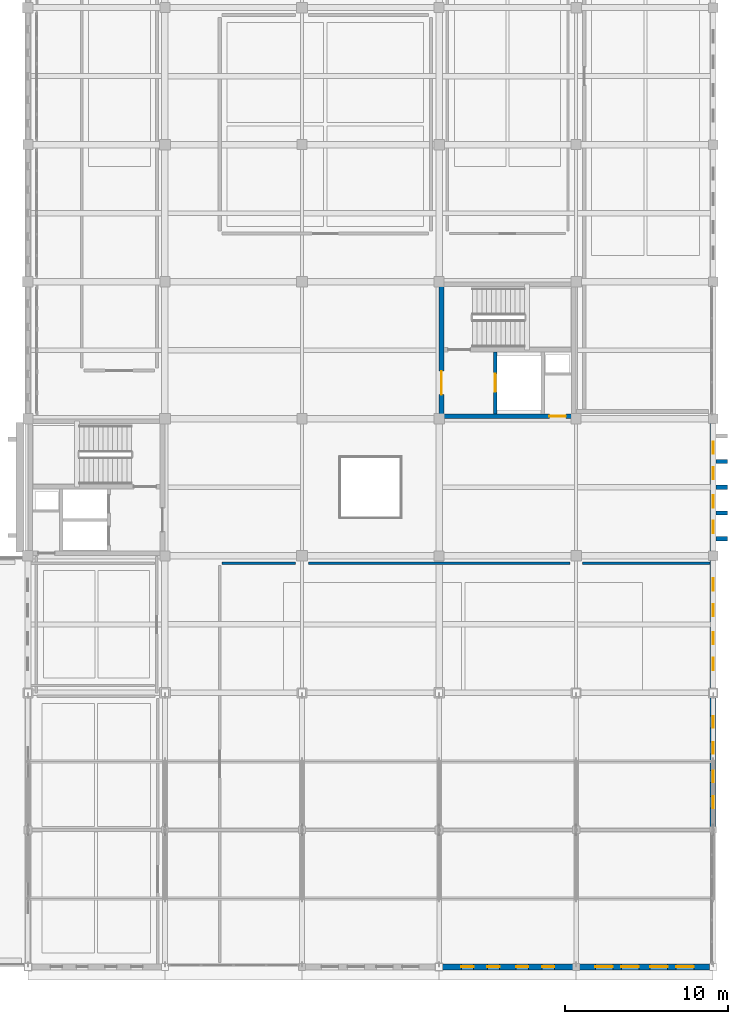
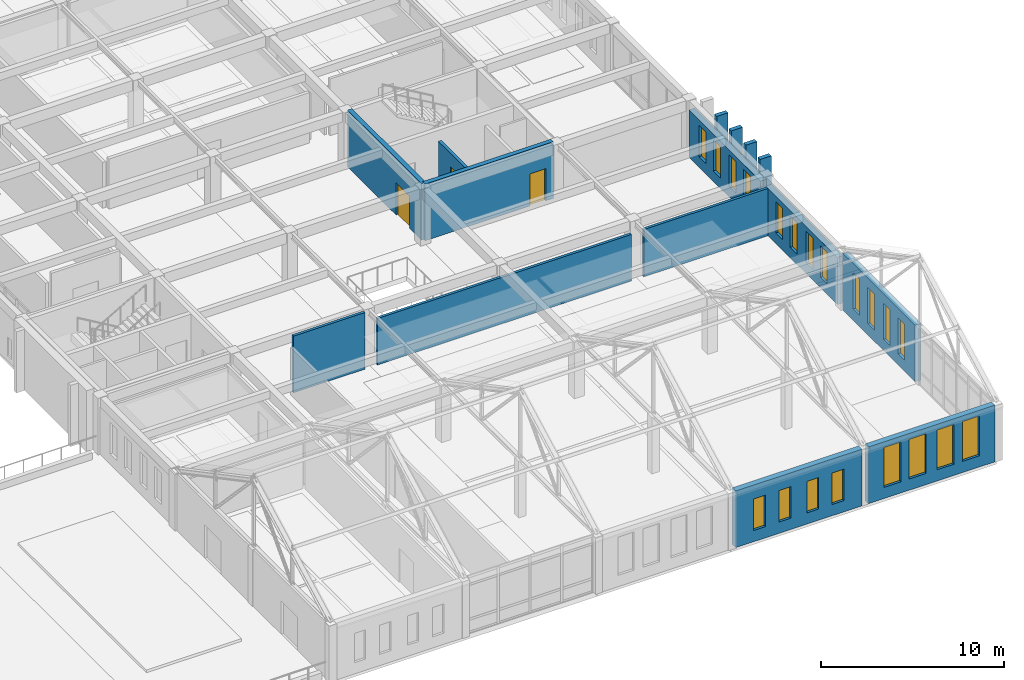
# One storey, part 34 of 47: 20 windows, 15 walls, 3 doors, 23 openings.
"""IFC4 building model written with IfcOpenShell, lengths in metres."""

from ifc_helpers import new_model, si_unit, direction, frame, frame_2d, origin, place, context, subcontext, project, spatial, rectangle, extrude, material, layer, layer_set, type_object, element, fill, save


model = new_model("IFC4")

# Units and contexts
model_context = context("Model", 3, precision=1e-05, world=origin(), true_north=direction((0.0, 1.0)))
body_context = subcontext(model_context, "Body", "Model", "MODEL_VIEW")
ifc_project = project(units=[si_unit("LENGTHUNIT", "METRE"), si_unit("AREAUNIT", "SQUARE_METRE"), si_unit("VOLUMEUNIT", "CUBIC_METRE"), si_unit("PLANEANGLEUNIT", "RADIAN"), si_unit("MASSUNIT", "GRAM", prefix="KILO")], contexts=[model_context])

# Site, building, storey
site_placement = place(None, origin())
site = spatial("IfcSite", under=ifc_project, at=site_placement, CompositionType="ELEMENT")
building_placement = place(site_placement, origin())
building = spatial("IfcBuilding", under=site, at=building_placement, Name="Kveldsbrygga Polytechnic", CompositionType="ELEMENT")
storey_placement = place(building_placement, frame((0.0, 0.0, 13.93994140625)))
storey = spatial("IfcBuildingStorey", under=building, at=storey_placement, Name="L03", CompositionType="ELEMENT", Elevation=13.93994140625)

# Wall, openings, windows
ifc_material_1 = material(Name="Fired clay brick masonry M10", Category="masonry")
ifc_layer_1 = layer(ifc_material_1, 0.360107421875)
ifc_layer_set_1 = layer_set([ifc_layer_1], Name="Fired clay brick masonry M10")
wall_type_1 = type_object("IfcWallType", Name="EW-BRICK-360", PredefinedType="SOLIDWALL", material=ifc_layer_set_1)
wall_1_placement = place(storey_placement, frame((151.425048828125, 0.0, 0.0), z_axis=(0.0, 0.0, 1.0), x_axis=(1.0, 0.0, 0.0)))
wall_1 = element("IfcWall", 1, at=wall_1_placement, inside=storey, type_object=wall_type_1, Name="Exterior Brick Wall EW-L03-X-18-00", PredefinedType="SOLIDWALL", context=body_context, shape_type="SweptSolid", body=[
    extrude(rectangle(XDim=7.97998046875, YDim=0.360107421875, at=frame_2d((3.989990234375, 0.0))), origin(), (0.0, 0.0, 1.0), 3.780029296875),
])
opening_1_placement = place(wall_1_placement, frame((1.14111328125, 0.0, 0.75)))
opening_1 = element("IfcOpeningElement", 2, at=opening_1_placement, cuts=wall_1, Name="Opening W-27", PredefinedType="OPENING", context=body_context, shape_type="SweptSolid", body=[
    extrude(rectangle(XDim=0.75, YDim=2.10009765625, at=frame_2d((0.375, 1.050048828125))), frame((0.0, 0.18994140625, 0.0), z_axis=(0.0, -1.0, 0.0), x_axis=(1.0, 0.0, 0.0)), (0.0, 0.0, 1.0), 0.380126953125),
])
opening_2_placement = place(wall_1_placement, frame((2.7373046875, 0.0, 0.75)))
opening_2 = element("IfcOpeningElement", 3, at=opening_2_placement, cuts=wall_1, Name="Opening W-27", PredefinedType="OPENING", context=body_context, shape_type="SweptSolid", body=[
    extrude(rectangle(XDim=0.75, YDim=2.10009765625, at=frame_2d((0.375, 1.050048828125))), frame((0.0, 0.18994140625, 0.0), z_axis=(0.0, -1.0, 0.0), x_axis=(1.0, 0.0, 0.0)), (0.0, 0.0, 1.0), 0.380126953125),
])
opening_3_placement = place(wall_1_placement, frame((4.492919921875, 0.0, 0.75)))
opening_3 = element("IfcOpeningElement", 4, at=opening_3_placement, cuts=wall_1, Name="Opening W-27", PredefinedType="OPENING", context=body_context, shape_type="SweptSolid", body=[
    extrude(rectangle(XDim=0.75, YDim=2.10009765625, at=frame_2d((0.375, 1.050048828125))), frame((0.0, 0.18994140625, 0.0), z_axis=(0.0, -1.0, 0.0), x_axis=(1.0, 0.0, 0.0)), (0.0, 0.0, 1.0), 0.380126953125),
])
opening_4_placement = place(wall_1_placement, frame((6.0888671875, 0.0, 0.75)))
opening_4 = element("IfcOpeningElement", 5, at=opening_4_placement, cuts=wall_1, Name="Opening W-27", PredefinedType="OPENING", context=body_context, shape_type="SweptSolid", body=[
    extrude(rectangle(XDim=0.75, YDim=2.10009765625, at=frame_2d((0.375, 1.050048828125))), frame((0.0, 0.18994140625, 0.0), z_axis=(0.0, -1.0, 0.0), x_axis=(1.0, 0.0, 0.0)), (0.0, 0.0, 1.0), 0.380126953125),
])
ifc_material_2 = material(Name="Insulated triple low-E glass", Category="glass")
window_type_1 = type_object("IfcWindowType", Name="WN-ATTIC-075x210", PartitioningType="DOUBLE_PANEL_VERTICAL", PredefinedType="WINDOW", material=ifc_material_2)
window_1_placement = place(opening_1_placement, origin())
window_1 = element("IfcWindow", 6, at=window_1_placement, inside=storey, type_object=window_type_1, Name="Gothic Lancet Window WIN-L03-X-18-00-1", OverallHeight=2.10009765625, OverallWidth=0.75, PartitioningType="DOUBLE_PANEL_VERTICAL", PredefinedType="WINDOW", context=body_context, shape_type="SweptSolid", body=[
    extrude(rectangle(XDim=0.75, YDim=2.10009765625, at=frame_2d((0.375, 1.050048828125))), frame((0.0, 0.030029296875, 0.0), z_axis=(0.0, -1.0, 0.0), x_axis=(1.0, 0.0, 0.0)), (0.0, 0.0, 1.0), 0.06005859375),
])
fill(opening_1, window_1)
window_2_placement = place(opening_2_placement, origin())
window_2 = element("IfcWindow", 7, at=window_2_placement, inside=storey, type_object=window_type_1, Name="Gothic Lancet Window WIN-L03-X-18-00-2", OverallHeight=2.10009765625, OverallWidth=0.75, PartitioningType="DOUBLE_PANEL_VERTICAL", PredefinedType="WINDOW", context=body_context, shape_type="SweptSolid", body=[
    extrude(rectangle(XDim=0.75, YDim=2.10009765625, at=frame_2d((0.375, 1.050048828125))), frame((0.0, 0.030029296875, 0.0), z_axis=(0.0, -1.0, 0.0), x_axis=(1.0, 0.0, 0.0)), (0.0, 0.0, 1.0), 0.06005859375),
])
fill(opening_2, window_2)
window_3_placement = place(opening_3_placement, origin())
window_3 = element("IfcWindow", 8, at=window_3_placement, inside=storey, type_object=window_type_1, Name="Gothic Lancet Window WIN-L03-X-18-00-3", OverallHeight=2.10009765625, OverallWidth=0.75, PartitioningType="DOUBLE_PANEL_VERTICAL", PredefinedType="WINDOW", context=body_context, shape_type="SweptSolid", body=[
    extrude(rectangle(XDim=0.75, YDim=2.10009765625, at=frame_2d((0.375, 1.050048828125))), frame((0.0, 0.030029296875, 0.0), z_axis=(0.0, -1.0, 0.0), x_axis=(1.0, 0.0, 0.0)), (0.0, 0.0, 1.0), 0.06005859375),
])
fill(opening_3, window_3)
window_4_placement = place(opening_4_placement, origin())
window_4 = element("IfcWindow", 9, at=window_4_placement, inside=storey, type_object=window_type_1, Name="Gothic Lancet Window WIN-L03-X-18-00-4", OverallHeight=2.10009765625, OverallWidth=0.75, PartitioningType="DOUBLE_PANEL_VERTICAL", PredefinedType="WINDOW", context=body_context, shape_type="SweptSolid", body=[
    extrude(rectangle(XDim=0.75, YDim=2.10009765625, at=frame_2d((0.375, 1.050048828125))), frame((0.0, 0.030029296875, 0.0), z_axis=(0.0, -1.0, 0.0), x_axis=(1.0, 0.0, 0.0)), (0.0, 0.0, 1.0), 0.06005859375),
])
fill(opening_4, window_4)

wall_2_placement = place(storey_placement, frame((159.794921875, 0.0, 0.0), z_axis=(0.0, 0.0, 1.0), x_axis=(1.0, 0.0, 0.0)))
wall_2 = element("IfcWall", 10, at=wall_2_placement, inside=storey, type_object=wall_type_1, Name="Exterior Brick Wall EW-L03-X-19-00", PredefinedType="SOLIDWALL", context=body_context, shape_type="SweptSolid", body=[
    extrude(rectangle(XDim=7.9951171875, YDim=0.360107421875, at=frame_2d((3.99755859375, 0.0))), origin(), (0.0, 0.0, 1.0), 3.780029296875),
])
opening_5_placement = place(wall_2_placement, frame((0.97900390625, 0.0, 0.75)))
opening_5 = element("IfcOpeningElement", 11, at=opening_5_placement, cuts=wall_2, Name="Opening W-40", PredefinedType="OPENING", context=body_context, shape_type="SweptSolid", body=[
    extrude(rectangle(XDim=1.080078125, YDim=2.64990234375, at=frame_2d((0.5400390625, 1.324951171875))), frame((0.0, 0.18994140625, 0.0), z_axis=(0.0, -1.0, 0.0), x_axis=(1.0, 0.0, 0.0)), (0.0, 0.0, 1.0), 0.380126953125),
])
opening_6_placement = place(wall_2_placement, frame((2.578125, 0.0, 0.75)))
opening_6 = element("IfcOpeningElement", 12, at=opening_6_placement, cuts=wall_2, Name="Opening W-40", PredefinedType="OPENING", context=body_context, shape_type="SweptSolid", body=[
    extrude(rectangle(XDim=1.080078125, YDim=2.64990234375, at=frame_2d((0.5400390625, 1.324951171875))), frame((0.0, 0.18994140625, 0.0), z_axis=(0.0, -1.0, 0.0), x_axis=(1.0, 0.0, 0.0)), (0.0, 0.0, 1.0), 0.380126953125),
])
opening_7_placement = place(wall_2_placement, frame((4.3369140625, 0.0, 0.75)))
opening_7 = element("IfcOpeningElement", 13, at=opening_7_placement, cuts=wall_2, Name="Opening W-40", PredefinedType="OPENING", context=body_context, shape_type="SweptSolid", body=[
    extrude(rectangle(XDim=1.080078125, YDim=2.64990234375, at=frame_2d((0.5400390625, 1.324951171875))), frame((0.0, 0.18994140625, 0.0), z_axis=(0.0, -1.0, 0.0), x_axis=(1.0, 0.0, 0.0)), (0.0, 0.0, 1.0), 0.380126953125),
])
opening_8_placement = place(wall_2_placement, frame((5.93603515625, 0.0, 0.75)))
opening_8 = element("IfcOpeningElement", 14, at=opening_8_placement, cuts=wall_2, Name="Opening W-40", PredefinedType="OPENING", context=body_context, shape_type="SweptSolid", body=[
    extrude(rectangle(XDim=1.080078125, YDim=2.64990234375, at=frame_2d((0.5400390625, 1.324951171875))), frame((0.0, 0.18994140625, 0.0), z_axis=(0.0, -1.0, 0.0), x_axis=(1.0, 0.0, 0.0)), (0.0, 0.0, 1.0), 0.380126953125),
])
window_type_2 = type_object("IfcWindowType", Name="WN-LANC-108x265", PartitioningType="DOUBLE_PANEL_VERTICAL", PredefinedType="WINDOW", material=ifc_material_2)
window_5_placement = place(opening_5_placement, origin())
window_5 = element("IfcWindow", 15, at=window_5_placement, inside=storey, type_object=window_type_2, Name="Gothic Lancet Window WIN-L03-X-19-00-1", OverallHeight=2.64990234375, OverallWidth=1.080078125, PartitioningType="DOUBLE_PANEL_VERTICAL", PredefinedType="WINDOW", context=body_context, shape_type="SweptSolid", body=[
    extrude(rectangle(XDim=1.080078125, YDim=2.64990234375, at=frame_2d((0.5400390625, 1.324951171875))), frame((0.0, 0.030029296875, 0.0), z_axis=(0.0, -1.0, 0.0), x_axis=(1.0, 0.0, 0.0)), (0.0, 0.0, 1.0), 0.06005859375),
])
fill(opening_5, window_5)
window_6_placement = place(opening_6_placement, origin())
window_6 = element("IfcWindow", 16, at=window_6_placement, inside=storey, type_object=window_type_2, Name="Gothic Lancet Window WIN-L03-X-19-00-2", OverallHeight=2.64990234375, OverallWidth=1.080078125, PartitioningType="DOUBLE_PANEL_VERTICAL", PredefinedType="WINDOW", context=body_context, shape_type="SweptSolid", body=[
    extrude(rectangle(XDim=1.080078125, YDim=2.64990234375, at=frame_2d((0.5400390625, 1.324951171875))), frame((0.0, 0.030029296875, 0.0), z_axis=(0.0, -1.0, 0.0), x_axis=(1.0, 0.0, 0.0)), (0.0, 0.0, 1.0), 0.06005859375),
])
fill(opening_6, window_6)
window_7_placement = place(opening_7_placement, origin())
window_7 = element("IfcWindow", 17, at=window_7_placement, inside=storey, type_object=window_type_2, Name="Gothic Lancet Window WIN-L03-X-19-00-3", OverallHeight=2.64990234375, OverallWidth=1.080078125, PartitioningType="DOUBLE_PANEL_VERTICAL", PredefinedType="WINDOW", context=body_context, shape_type="SweptSolid", body=[
    extrude(rectangle(XDim=1.080078125, YDim=2.64990234375, at=frame_2d((0.5400390625, 1.324951171875))), frame((0.0, 0.030029296875, 0.0), z_axis=(0.0, -1.0, 0.0), x_axis=(1.0, 0.0, 0.0)), (0.0, 0.0, 1.0), 0.06005859375),
])
fill(opening_7, window_7)
window_8_placement = place(opening_8_placement, origin())
window_8 = element("IfcWindow", 18, at=window_8_placement, inside=storey, type_object=window_type_2, Name="Gothic Lancet Window WIN-L03-X-19-00-4", OverallHeight=2.64990234375, OverallWidth=1.080078125, PartitioningType="DOUBLE_PANEL_VERTICAL", PredefinedType="WINDOW", context=body_context, shape_type="SweptSolid", body=[
    extrude(rectangle(XDim=1.080078125, YDim=2.64990234375, at=frame_2d((0.5400390625, 1.324951171875))), frame((0.0, 0.030029296875, 0.0), z_axis=(0.0, -1.0, 0.0), x_axis=(1.0, 0.0, 0.0)), (0.0, 0.0, 1.0), 0.06005859375),
])
fill(opening_8, window_8)

wall_3_placement = place(storey_placement, frame((168.0, 8.5849609375, 0.0), z_axis=(0.0, 0.0, 1.0), x_axis=(0.0, 1.0, 0.0)))
wall_3 = element("IfcWall", 19, at=wall_3_placement, inside=storey, type_object=wall_type_1, Name="Exterior Brick Wall EW-L03-Y-20-01", PredefinedType="SOLIDWALL", context=body_context, shape_type="SweptSolid", body=[
    extrude(rectangle(XDim=7.929931640625, YDim=0.360107421875, at=frame_2d((3.96484375, 0.0))), origin(), (0.0, 0.0, 1.0), 3.780029296875),
])
opening_9_placement = place(wall_3_placement, frame((1.146728515625, 0.0, 0.75)))
opening_9 = element("IfcOpeningElement", 20, at=opening_9_placement, cuts=wall_3, Name="Opening W-02", PredefinedType="OPENING", context=body_context, shape_type="SweptSolid", body=[
    extrude(rectangle(XDim=0.719970703125, YDim=2.39990234375, at=frame_2d((0.35986328125, 1.199951171875))), frame((0.0, 0.18994140625, 0.0), z_axis=(0.0, -1.0, 0.0), x_axis=(1.0, 0.0, 0.0)), (0.0, 0.0, 1.0), 0.380126953125),
])
opening_10_placement = place(wall_3_placement, frame((2.732666015625, 0.0, 0.75)))
opening_10 = element("IfcOpeningElement", 21, at=opening_10_placement, cuts=wall_3, Name="Opening W-02", PredefinedType="OPENING", context=body_context, shape_type="SweptSolid", body=[
    extrude(rectangle(XDim=0.719970703125, YDim=2.39990234375, at=frame_2d((0.35986328125, 1.199951171875))), frame((0.0, 0.18994140625, 0.0), z_axis=(0.0, -1.0, 0.0), x_axis=(1.0, 0.0, 0.0)), (0.0, 0.0, 1.0), 0.380126953125),
])
opening_11_placement = place(wall_3_placement, frame((4.477294921875, 0.0, 0.75)))
opening_11 = element("IfcOpeningElement", 22, at=opening_11_placement, cuts=wall_3, Name="Opening W-02", PredefinedType="OPENING", context=body_context, shape_type="SweptSolid", body=[
    extrude(rectangle(XDim=0.719970703125, YDim=2.39990234375, at=frame_2d((0.35986328125, 1.199951171875))), frame((0.0, 0.18994140625, 0.0), z_axis=(0.0, -1.0, 0.0), x_axis=(1.0, 0.0, 0.0)), (0.0, 0.0, 1.0), 0.380126953125),
])
opening_12_placement = place(wall_3_placement, frame((6.063232421875, 0.0, 0.75)))
opening_12 = element("IfcOpeningElement", 23, at=opening_12_placement, cuts=wall_3, Name="Opening W-02", PredefinedType="OPENING", context=body_context, shape_type="SweptSolid", body=[
    extrude(rectangle(XDim=0.719970703125, YDim=2.39990234375, at=frame_2d((0.35986328125, 1.199951171875))), frame((0.0, 0.18994140625, 0.0), z_axis=(0.0, -1.0, 0.0), x_axis=(1.0, 0.0, 0.0)), (0.0, 0.0, 1.0), 0.380126953125),
])
window_type_3 = type_object("IfcWindowType", Name="WN-LANC-072x240", PartitioningType="DOUBLE_PANEL_VERTICAL", PredefinedType="WINDOW", material=ifc_material_2)
window_9_placement = place(opening_9_placement, origin())
window_9 = element("IfcWindow", 24, at=window_9_placement, inside=storey, type_object=window_type_3, Name="Gothic Lancet Window WIN-L03-Y-20-01-1", OverallHeight=2.39990234375, OverallWidth=0.719970703125, PartitioningType="DOUBLE_PANEL_VERTICAL", PredefinedType="WINDOW", context=body_context, shape_type="SweptSolid", body=[
    extrude(rectangle(XDim=0.719970703125, YDim=2.39990234375, at=frame_2d((0.35986328125, 1.199951171875))), frame((0.0, 0.030029296875, 0.0), z_axis=(0.0, -1.0, 0.0), x_axis=(1.0, 0.0, 0.0)), (0.0, 0.0, 1.0), 0.06005859375),
])
fill(opening_9, window_9)
window_10_placement = place(opening_10_placement, origin())
window_10 = element("IfcWindow", 25, at=window_10_placement, inside=storey, type_object=window_type_3, Name="Gothic Lancet Window WIN-L03-Y-20-01-2", OverallHeight=2.39990234375, OverallWidth=0.719970703125, PartitioningType="DOUBLE_PANEL_VERTICAL", PredefinedType="WINDOW", context=body_context, shape_type="SweptSolid", body=[
    extrude(rectangle(XDim=0.719970703125, YDim=2.39990234375, at=frame_2d((0.35986328125, 1.199951171875))), frame((0.0, 0.030029296875, 0.0), z_axis=(0.0, -1.0, 0.0), x_axis=(1.0, 0.0, 0.0)), (0.0, 0.0, 1.0), 0.06005859375),
])
fill(opening_10, window_10)
window_11_placement = place(opening_11_placement, origin())
window_11 = element("IfcWindow", 26, at=window_11_placement, inside=storey, type_object=window_type_3, Name="Gothic Lancet Window WIN-L03-Y-20-01-3", OverallHeight=2.39990234375, OverallWidth=0.719970703125, PartitioningType="DOUBLE_PANEL_VERTICAL", PredefinedType="WINDOW", context=body_context, shape_type="SweptSolid", body=[
    extrude(rectangle(XDim=0.719970703125, YDim=2.39990234375, at=frame_2d((0.35986328125, 1.199951171875))), frame((0.0, 0.030029296875, 0.0), z_axis=(0.0, -1.0, 0.0), x_axis=(1.0, 0.0, 0.0)), (0.0, 0.0, 1.0), 0.06005859375),
])
fill(opening_11, window_11)
window_12_placement = place(opening_12_placement, origin())
window_12 = element("IfcWindow", 27, at=window_12_placement, inside=storey, type_object=window_type_3, Name="Gothic Lancet Window WIN-L03-Y-20-01-4", OverallHeight=2.39990234375, OverallWidth=0.719970703125, PartitioningType="DOUBLE_PANEL_VERTICAL", PredefinedType="WINDOW", context=body_context, shape_type="SweptSolid", body=[
    extrude(rectangle(XDim=0.719970703125, YDim=2.39990234375, at=frame_2d((0.35986328125, 1.199951171875))), frame((0.0, 0.030029296875, 0.0), z_axis=(0.0, -1.0, 0.0), x_axis=(1.0, 0.0, 0.0)), (0.0, 0.0, 1.0), 0.06005859375),
])
fill(opening_12, window_12)

wall_4_placement = place(storey_placement, frame((168.0, 17.0849609375, 0.0), z_axis=(0.0, 0.0, 1.0), x_axis=(0.0, 1.0, 0.0)))
wall_4 = element("IfcWall", 28, at=wall_4_placement, inside=storey, type_object=wall_type_1, Name="Exterior Brick Wall EW-L03-Y-20-02", PredefinedType="SOLIDWALL", context=body_context, shape_type="SweptSolid", body=[
    extrude(rectangle(XDim=7.840087890625, YDim=0.360107421875, at=frame_2d((3.919921875, 0.0))), origin(), (0.0, 0.0, 1.0), 3.150146484375),
])
opening_13_placement = place(wall_4_placement, frame((1.114501953125, 0.0, 0.699951171875)))
opening_13 = element("IfcOpeningElement", 29, at=opening_13_placement, cuts=wall_4, Name="Opening W-27", PredefinedType="OPENING", context=body_context, shape_type="SweptSolid", body=[
    extrude(rectangle(XDim=0.75, YDim=2.10009765625, at=frame_2d((0.375, 1.050048828125))), frame((0.0, 0.18994140625, 0.0), z_axis=(0.0, -1.0, 0.0), x_axis=(1.0, 0.0, 0.0)), (0.0, 0.0, 1.0), 0.380126953125),
])
opening_14_placement = place(wall_4_placement, frame((2.6826171875, 0.0, 0.699951171875)))
opening_14 = element("IfcOpeningElement", 30, at=opening_14_placement, cuts=wall_4, Name="Opening W-27", PredefinedType="OPENING", context=body_context, shape_type="SweptSolid", body=[
    extrude(rectangle(XDim=0.75, YDim=2.10009765625, at=frame_2d((0.375, 1.050048828125))), frame((0.0, 0.18994140625, 0.0), z_axis=(0.0, -1.0, 0.0), x_axis=(1.0, 0.0, 0.0)), (0.0, 0.0, 1.0), 0.380126953125),
])
opening_15_placement = place(wall_4_placement, frame((4.407470703125, 0.0, 0.699951171875)))
opening_15 = element("IfcOpeningElement", 31, at=opening_15_placement, cuts=wall_4, Name="Opening W-27", PredefinedType="OPENING", context=body_context, shape_type="SweptSolid", body=[
    extrude(rectangle(XDim=0.75, YDim=2.10009765625, at=frame_2d((0.375, 1.050048828125))), frame((0.0, 0.18994140625, 0.0), z_axis=(0.0, -1.0, 0.0), x_axis=(1.0, 0.0, 0.0)), (0.0, 0.0, 1.0), 0.380126953125),
])
opening_16_placement = place(wall_4_placement, frame((5.975341796875, 0.0, 0.699951171875)))
opening_16 = element("IfcOpeningElement", 32, at=opening_16_placement, cuts=wall_4, Name="Opening W-27", PredefinedType="OPENING", context=body_context, shape_type="SweptSolid", body=[
    extrude(rectangle(XDim=0.75, YDim=2.10009765625, at=frame_2d((0.375, 1.050048828125))), frame((0.0, 0.18994140625, 0.0), z_axis=(0.0, -1.0, 0.0), x_axis=(1.0, 0.0, 0.0)), (0.0, 0.0, 1.0), 0.380126953125),
])
window_13_placement = place(opening_13_placement, origin())
window_13 = element("IfcWindow", 33, at=window_13_placement, inside=storey, type_object=window_type_1, Name="Gothic Lancet Window WIN-L03-Y-20-02-1", OverallHeight=2.10009765625, OverallWidth=0.75, PartitioningType="DOUBLE_PANEL_VERTICAL", PredefinedType="WINDOW", context=body_context, shape_type="SweptSolid", body=[
    extrude(rectangle(XDim=0.75, YDim=2.10009765625, at=frame_2d((0.375, 1.050048828125))), frame((0.0, 0.030029296875, 0.0), z_axis=(0.0, -1.0, 0.0), x_axis=(1.0, 0.0, 0.0)), (0.0, 0.0, 1.0), 0.06005859375),
])
fill(opening_13, window_13)
window_14_placement = place(opening_14_placement, origin())
window_14 = element("IfcWindow", 34, at=window_14_placement, inside=storey, type_object=window_type_1, Name="Gothic Lancet Window WIN-L03-Y-20-02-2", OverallHeight=2.10009765625, OverallWidth=0.75, PartitioningType="DOUBLE_PANEL_VERTICAL", PredefinedType="WINDOW", context=body_context, shape_type="SweptSolid", body=[
    extrude(rectangle(XDim=0.75, YDim=2.10009765625, at=frame_2d((0.375, 1.050048828125))), frame((0.0, 0.030029296875, 0.0), z_axis=(0.0, -1.0, 0.0), x_axis=(1.0, 0.0, 0.0)), (0.0, 0.0, 1.0), 0.06005859375),
])
fill(opening_14, window_14)
window_15_placement = place(opening_15_placement, origin())
window_15 = element("IfcWindow", 35, at=window_15_placement, inside=storey, type_object=window_type_1, Name="Gothic Lancet Window WIN-L03-Y-20-02-3", OverallHeight=2.10009765625, OverallWidth=0.75, PartitioningType="DOUBLE_PANEL_VERTICAL", PredefinedType="WINDOW", context=body_context, shape_type="SweptSolid", body=[
    extrude(rectangle(XDim=0.75, YDim=2.10009765625, at=frame_2d((0.375, 1.050048828125))), frame((0.0, 0.030029296875, 0.0), z_axis=(0.0, -1.0, 0.0), x_axis=(1.0, 0.0, 0.0)), (0.0, 0.0, 1.0), 0.06005859375),
])
fill(opening_15, window_15)
window_16_placement = place(opening_16_placement, origin())
window_16 = element("IfcWindow", 36, at=window_16_placement, inside=storey, type_object=window_type_1, Name="Gothic Lancet Window WIN-L03-Y-20-02-4", OverallHeight=2.10009765625, OverallWidth=0.75, PartitioningType="DOUBLE_PANEL_VERTICAL", PredefinedType="WINDOW", context=body_context, shape_type="SweptSolid", body=[
    extrude(rectangle(XDim=0.75, YDim=2.10009765625, at=frame_2d((0.375, 1.050048828125))), frame((0.0, 0.030029296875, 0.0), z_axis=(0.0, -1.0, 0.0), x_axis=(1.0, 0.0, 0.0)), (0.0, 0.0, 1.0), 0.06005859375),
])
fill(opening_16, window_16)

wall_5_placement = place(storey_placement, frame((168.0, 25.47509765625, 0.0), z_axis=(0.0, 0.0, 1.0), x_axis=(0.0, 1.0, 0.0)))
wall_5 = element("IfcWall", 37, at=wall_5_placement, inside=storey, type_object=wall_type_1, Name="Exterior Brick Wall EW-L03-Y-20-03", PredefinedType="SOLIDWALL", context=body_context, shape_type="SweptSolid", body=[
    extrude(rectangle(XDim=7.83984375, YDim=0.360107421875, at=frame_2d((3.919921875, 0.0))), origin(), (0.0, 0.0, 1.0), 3.150146484375),
])
opening_17_placement = place(wall_5_placement, frame((1.114501953125, 0.0, 0.699951171875)))
opening_17 = element("IfcOpeningElement", 38, at=opening_17_placement, cuts=wall_5, Name="Opening W-27", PredefinedType="OPENING", context=body_context, shape_type="SweptSolid", body=[
    extrude(rectangle(XDim=0.75, YDim=2.10009765625, at=frame_2d((0.375, 1.050048828125))), frame((0.0, 0.18994140625, 0.0), z_axis=(0.0, -1.0, 0.0), x_axis=(1.0, 0.0, 0.0)), (0.0, 0.0, 1.0), 0.380126953125),
])
opening_18_placement = place(wall_5_placement, frame((2.6826171875, 0.0, 0.699951171875)))
opening_18 = element("IfcOpeningElement", 39, at=opening_18_placement, cuts=wall_5, Name="Opening W-27", PredefinedType="OPENING", context=body_context, shape_type="SweptSolid", body=[
    extrude(rectangle(XDim=0.75, YDim=2.10009765625, at=frame_2d((0.375, 1.050048828125))), frame((0.0, 0.18994140625, 0.0), z_axis=(0.0, -1.0, 0.0), x_axis=(1.0, 0.0, 0.0)), (0.0, 0.0, 1.0), 0.380126953125),
])
opening_19_placement = place(wall_5_placement, frame((4.407470703125, 0.0, 0.699951171875)))
opening_19 = element("IfcOpeningElement", 40, at=opening_19_placement, cuts=wall_5, Name="Opening W-27", PredefinedType="OPENING", context=body_context, shape_type="SweptSolid", body=[
    extrude(rectangle(XDim=0.75, YDim=2.10009765625, at=frame_2d((0.375, 1.050048828125))), frame((0.0, 0.18994140625, 0.0), z_axis=(0.0, -1.0, 0.0), x_axis=(1.0, 0.0, 0.0)), (0.0, 0.0, 1.0), 0.380126953125),
])
opening_20_placement = place(wall_5_placement, frame((5.975341796875, 0.0, 0.699951171875)))
opening_20 = element("IfcOpeningElement", 41, at=opening_20_placement, cuts=wall_5, Name="Opening W-27", PredefinedType="OPENING", context=body_context, shape_type="SweptSolid", body=[
    extrude(rectangle(XDim=0.75, YDim=2.10009765625, at=frame_2d((0.375, 1.050048828125))), frame((0.0, 0.18994140625, 0.0), z_axis=(0.0, -1.0, 0.0), x_axis=(1.0, 0.0, 0.0)), (0.0, 0.0, 1.0), 0.380126953125),
])
window_17_placement = place(opening_17_placement, origin())
window_17 = element("IfcWindow", 42, at=window_17_placement, inside=storey, type_object=window_type_1, Name="Gothic Lancet Window WIN-L03-Y-20-03-1", OverallHeight=2.10009765625, OverallWidth=0.75, PartitioningType="DOUBLE_PANEL_VERTICAL", PredefinedType="WINDOW", context=body_context, shape_type="SweptSolid", body=[
    extrude(rectangle(XDim=0.75, YDim=2.10009765625, at=frame_2d((0.375, 1.050048828125))), frame((0.0, 0.030029296875, 0.0), z_axis=(0.0, -1.0, 0.0), x_axis=(1.0, 0.0, 0.0)), (0.0, 0.0, 1.0), 0.06005859375),
])
fill(opening_17, window_17)
window_18_placement = place(opening_18_placement, origin())
window_18 = element("IfcWindow", 43, at=window_18_placement, inside=storey, type_object=window_type_1, Name="Gothic Lancet Window WIN-L03-Y-20-03-2", OverallHeight=2.10009765625, OverallWidth=0.75, PartitioningType="DOUBLE_PANEL_VERTICAL", PredefinedType="WINDOW", context=body_context, shape_type="SweptSolid", body=[
    extrude(rectangle(XDim=0.75, YDim=2.10009765625, at=frame_2d((0.375, 1.050048828125))), frame((0.0, 0.030029296875, 0.0), z_axis=(0.0, -1.0, 0.0), x_axis=(1.0, 0.0, 0.0)), (0.0, 0.0, 1.0), 0.06005859375),
])
fill(opening_18, window_18)
window_19_placement = place(opening_19_placement, origin())
window_19 = element("IfcWindow", 44, at=window_19_placement, inside=storey, type_object=window_type_1, Name="Gothic Lancet Window WIN-L03-Y-20-03-3", OverallHeight=2.10009765625, OverallWidth=0.75, PartitioningType="DOUBLE_PANEL_VERTICAL", PredefinedType="WINDOW", context=body_context, shape_type="SweptSolid", body=[
    extrude(rectangle(XDim=0.75, YDim=2.10009765625, at=frame_2d((0.375, 1.050048828125))), frame((0.0, 0.030029296875, 0.0), z_axis=(0.0, -1.0, 0.0), x_axis=(1.0, 0.0, 0.0)), (0.0, 0.0, 1.0), 0.06005859375),
])
fill(opening_19, window_19)
window_20_placement = place(opening_20_placement, origin())
window_20 = element("IfcWindow", 45, at=window_20_placement, inside=storey, type_object=window_type_1, Name="Gothic Lancet Window WIN-L03-Y-20-03-4", OverallHeight=2.10009765625, OverallWidth=0.75, PartitioningType="DOUBLE_PANEL_VERTICAL", PredefinedType="WINDOW", context=body_context, shape_type="SweptSolid", body=[
    extrude(rectangle(XDim=0.75, YDim=2.10009765625, at=frame_2d((0.375, 1.050048828125))), frame((0.0, 0.030029296875, 0.0), z_axis=(0.0, -1.0, 0.0), x_axis=(1.0, 0.0, 0.0)), (0.0, 0.0, 1.0), 0.06005859375),
])
fill(opening_20, window_20)

# Walls
ifc_layer_2 = layer(ifc_material_1, 0.260009765625)
ifc_layer_set_2 = layer_set([ifc_layer_2], Name="Fired clay brick masonry M10")
wall_type_2 = type_object("IfcWallType", Name="EW-BUTT-260", PredefinedType="SOLIDWALL", material=ifc_layer_set_2)
for number, where, z_axis, x_axis, name in (
    (46, (168.1650390625, 26.25, 0.0), (0.0, 0.0, 1.0), (1.0, 0.0, 0.0), "Gothic Brick Buttress Pier BUTT-L03-Y-20-03-1"),
    (47, (168.1650390625, 27.820068359375, 0.0), (0.0, 0.0, 1.0), (1.0, 0.0, 0.0), "Gothic Brick Buttress Pier BUTT-L03-Y-20-03-2"),
    (48, (168.1650390625, 29.39990234375, 0.0), (0.0, 0.0, 1.0), (1.0, 0.0, 0.0), "Gothic Brick Buttress Pier BUTT-L03-Y-20-03-3"),
    (49, (168.1650390625, 30.97998046875, 0.0), (0.0, 0.0, 1.0), (1.0, 0.0, 0.0), "Gothic Brick Buttress Pier BUTT-L03-Y-20-03-4"),
):
    element("IfcWall", number, at=place(storey_placement, frame(where, z_axis=z_axis, x_axis=x_axis)), inside=storey, type_object=wall_type_2, Name=name, PredefinedType="SOLIDWALL", context=body_context, shape_type="SweptSolid", body=[
        extrude(rectangle(XDim=0.699951171875, YDim=0.260009765625, at=frame_2d((0.35009765625, 0.0))), origin(), (0.0, 0.0, 1.0), 4.080078125),
    ])
ifc_material_3 = material(Name="Gypsum acoustic stud partition")
ifc_layer_3 = layer(ifc_material_3, 0.1650390625)
ifc_layer_set_3 = layer_set([ifc_layer_3], Name="Gypsum acoustic stud partition")
wall_type_3 = type_object("IfcWallType", Name="IW-LIB-165", PredefinedType="PARTITIONING", material=ifc_layer_set_3)
wall_6_placement = place(storey_placement, frame((137.89990234375, 24.75, 0.0), z_axis=(0.0, 0.0, 1.0), x_axis=(1.0, 0.0, 0.0)))
element("IfcWall", 50, at=wall_6_placement, inside=storey, type_object=wall_type_3, Name="Partition Wall IW-SP-L03-LIB2-N1", PredefinedType="PARTITIONING", context=body_context, shape_type="SweptSolid", body=[
    extrude(rectangle(XDim=4.51513671875, YDim=0.1650390625, at=frame_2d((2.257568359375, 0.0))), origin(), (0.0, 0.0, 1.0), 3.780029296875),
])
wall_7_placement = place(storey_placement, frame((143.18505859375, 24.75, 0.0), z_axis=(0.0, 0.0, 1.0), x_axis=(1.0, 0.0, 0.0)))
element("IfcWall", 51, at=wall_7_placement, inside=storey, type_object=wall_type_3, Name="Partition Wall IW-SP-L03-LIB2-N2", PredefinedType="PARTITIONING", context=body_context, shape_type="SweptSolid", body=[
    extrude(rectangle(XDim=16.030029296875, YDim=0.1650390625, at=frame_2d((8.01513671875, 0.0))), origin(), (0.0, 0.0, 1.0), 3.10009765625),
])
wall_8_placement = place(storey_placement, frame((159.985107421875, 24.75, 0.0), z_axis=(0.0, 0.0, 1.0), x_axis=(1.0, 0.0, 0.0)))
element("IfcWall", 52, at=wall_8_placement, inside=storey, type_object=wall_type_3, Name="Partition Wall IW-SP-L03-LIB2-N3", PredefinedType="PARTITIONING", context=body_context, shape_type="SweptSolid", body=[
    extrude(rectangle(XDim=7.8349609375, YDim=0.1650390625, at=frame_2d((3.91748046875, 0.0))), origin(), (0.0, 0.0, 1.0), 3.150146484375),
])

# Wall, opening, door
ifc_material_4 = material(Name="Concrete C45/55", Category="concrete")
ifc_layer_4 = layer(ifc_material_4, 0.280029296875)
ifc_layer_set_4 = layer_set([ifc_layer_4], Name="Concrete C45/55")
wall_type_4 = type_object("IfcWallType", Name="WL-CORE-280", PredefinedType="SHEAR", material=ifc_layer_set_4)
wall_9_placement = place(storey_placement, frame((151.35009765625, 33.75, 0.0), z_axis=(0.0, 0.0, 1.0), x_axis=(1.0, 0.0, 0.0)))
wall_9 = element("IfcWall", 53, at=wall_9_placement, inside=storey, type_object=wall_type_4, Name="Core C3 Shear Wall C3-L03-SW-S", PredefinedType="SHEAR", context=body_context, shape_type="SweptSolid", body=[
    extrude(rectangle(XDim=8.099853515625, YDim=0.280029296875, at=frame_2d((4.0498046875, 0.0))), origin(), (0.0, 0.0, 1.0), 3.780029296875),
])
opening_21_placement = place(wall_9_placement, frame((6.614990234375, 0.0, 0.0)))
opening_21 = element("IfcOpeningElement", 54, at=opening_21_placement, cuts=wall_9, Name="Opening ID-C3-L03-AWC", PredefinedType="OPENING", context=body_context, shape_type="SweptSolid", body=[
    extrude(rectangle(XDim=1.0, YDim=2.14990234375, at=frame_2d((0.5, 1.074951171875))), frame((0.0, 0.14990234375, 0.0), z_axis=(0.0, -1.0, 0.0), x_axis=(1.0, 0.0, 0.0)), (0.0, 0.0, 1.0), 0.300048828125),
])
ifc_material_5 = material(Name="Acoustic oak timber", Category="wood")
door_type_1 = type_object("IfcDoorType", Name="ID-AWC-100x215", OperationType="NOTDEFINED", PredefinedType="DOOR", material=ifc_material_5)
door_1_placement = place(opening_21_placement, origin())
door_1 = element("IfcDoor", 55, at=door_1_placement, inside=storey, type_object=door_type_1, Name="Accessible WC Door ID-C3-L03-AWC", OperationType="SINGLE_SWING_RIGHT", OverallHeight=2.14990234375, OverallWidth=1.0, PredefinedType="DOOR", context=body_context, shape_type="SweptSolid", body=[
    extrude(rectangle(XDim=1.0, YDim=2.14990234375, at=frame_2d((0.5, 1.074951171875))), frame((0.0, 0.02490234375, 0.0), z_axis=(0.0, -1.0, 0.0), x_axis=(1.0, 0.0, 0.0)), (0.0, 0.0, 1.0), 0.050048828125),
])
fill(opening_21, door_1)

wall_10_placement = place(storey_placement, frame((151.35009765625, 33.75, 0.0), z_axis=(0.0, 0.0, 1.0), x_axis=(0.0, 1.0, 0.0)))
wall_10 = element("IfcWall", 56, at=wall_10_placement, inside=storey, type_object=wall_type_4, Name="Core C3 Shear Wall C3-L03-SW-W", PredefinedType="SHEAR", context=body_context, shape_type="SweptSolid", body=[
    extrude(rectangle(XDim=8.10009765625, YDim=0.280029296875, at=frame_2d((4.050048828125, 0.0))), origin(), (0.0, 0.0, 1.0), 3.780029296875),
])
opening_22_placement = place(wall_10_placement, frame((1.324951171875, 0.0, 0.0)))
opening_22 = element("IfcOpeningElement", 57, at=opening_22_placement, cuts=wall_10, Name="Opening FD-C3-L03-LOB", PredefinedType="OPENING", context=body_context, shape_type="SweptSolid", body=[
    extrude(rectangle(XDim=1.449951171875, YDim=2.14990234375, at=frame_2d((0.72509765625, 1.074951171875))), frame((0.0, 0.14990234375, 0.0), z_axis=(0.0, -1.0, 0.0), x_axis=(1.0, 0.0, 0.0)), (0.0, 0.0, 1.0), 0.300048828125),
])
ifc_material_6 = material(Name="Powder-coated galvanised steel", Category="steel")
door_type_2 = type_object("IfcDoorType", Name="ID-LOBBY-145x215", OperationType="DOUBLE_DOOR_SINGLE_SWING", PredefinedType="DOOR", material=ifc_material_6)
door_2_placement = place(opening_22_placement, origin())
door_2 = element("IfcDoor", 58, at=door_2_placement, inside=storey, type_object=door_type_2, Name="Core Lobby Fire Door FD-C3-L03-LOB", OperationType="DOUBLE_DOOR_SINGLE_SWING", OverallHeight=2.14990234375, OverallWidth=1.449951171875, PredefinedType="DOOR", context=body_context, shape_type="SweptSolid", body=[
    extrude(rectangle(XDim=1.449951171875, YDim=2.14990234375, at=frame_2d((0.72509765625, 1.074951171875))), frame((0.0, 0.02490234375, 0.0), z_axis=(0.0, -1.0, 0.0), x_axis=(1.0, 0.0, 0.0)), (0.0, 0.0, 1.0), 0.050048828125),
])
fill(opening_22, door_2)

ifc_material_7 = material(Name="Concrete C35/45", Category="concrete")
ifc_layer_5 = layer(ifc_material_7, 0.199951171875)
ifc_layer_set_5 = layer_set([ifc_layer_5], Name="Concrete C35/45")
wall_type_5 = type_object("IfcWallType", Name="WL-SHFT-200", PredefinedType="SHEAR", material=ifc_layer_set_5)
wall_11_placement = place(storey_placement, frame((154.639892578125, 33.89990234375, 0.0), z_axis=(0.0, 0.0, 1.0), x_axis=(0.0, 1.0, 0.0)))
wall_11 = element("IfcWall", 59, at=wall_11_placement, inside=storey, type_object=wall_type_5, Name="Lift Front Wall C3-L03-W-LFR", PredefinedType="SHEAR", context=body_context, shape_type="SweptSolid", body=[
    extrude(rectangle(XDim=3.800048828125, YDim=0.199951171875, at=frame_2d((1.89990234375, 0.0))), origin(), (0.0, 0.0, 1.0), 3.050048828125),
])
opening_23_placement = place(wall_11_placement, frame((1.35009765625, 0.0, 0.0)))
opening_23 = element("IfcOpeningElement", 60, at=opening_23_placement, cuts=wall_11, Name="Opening LD-LP-3", PredefinedType="OPENING", context=body_context, shape_type="SweptSolid", body=[
    extrude(rectangle(XDim=1.10009765625, YDim=2.14990234375, at=frame_2d((0.550048828125, 1.074951171875))), frame((0.0, 0.10986328125, 0.0), z_axis=(0.0, -1.0, 0.0), x_axis=(1.0, 0.0, 0.0)), (0.0, 0.0, 1.0), 0.219970703125),
])
ifc_material_8 = material(Name="Brushed stainless steel EN 1.4401", Category="steel")
door_type_3 = type_object("IfcDoorType", Name="LD-PAX-110x215", OperationType="SLIDING_TO_LEFT", PredefinedType="DOOR", material=ifc_material_8)
door_3_placement = place(opening_23_placement, origin())
door_3 = element("IfcDoor", 61, at=door_3_placement, inside=storey, type_object=door_type_3, Name="Lift Landing Sliding Door LD-LP-3-L03", OperationType="SLIDING_TO_LEFT", OverallHeight=2.14990234375, OverallWidth=1.10009765625, PredefinedType="DOOR", context=body_context, shape_type="SweptSolid", body=[
    extrude(rectangle(XDim=1.10009765625, YDim=2.14990234375, at=frame_2d((0.550048828125, 1.074951171875))), frame((0.0, 0.02490234375, 0.0), z_axis=(0.0, -1.0, 0.0), x_axis=(1.0, 0.0, 0.0)), (0.0, 0.0, 1.0), 0.050048828125),
])
fill(opening_23, door_3)

save(model, "model.ifc")
